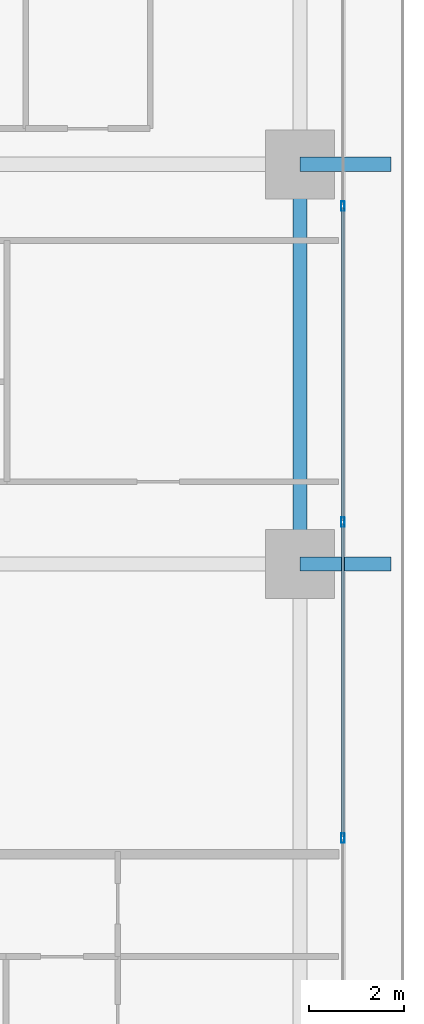
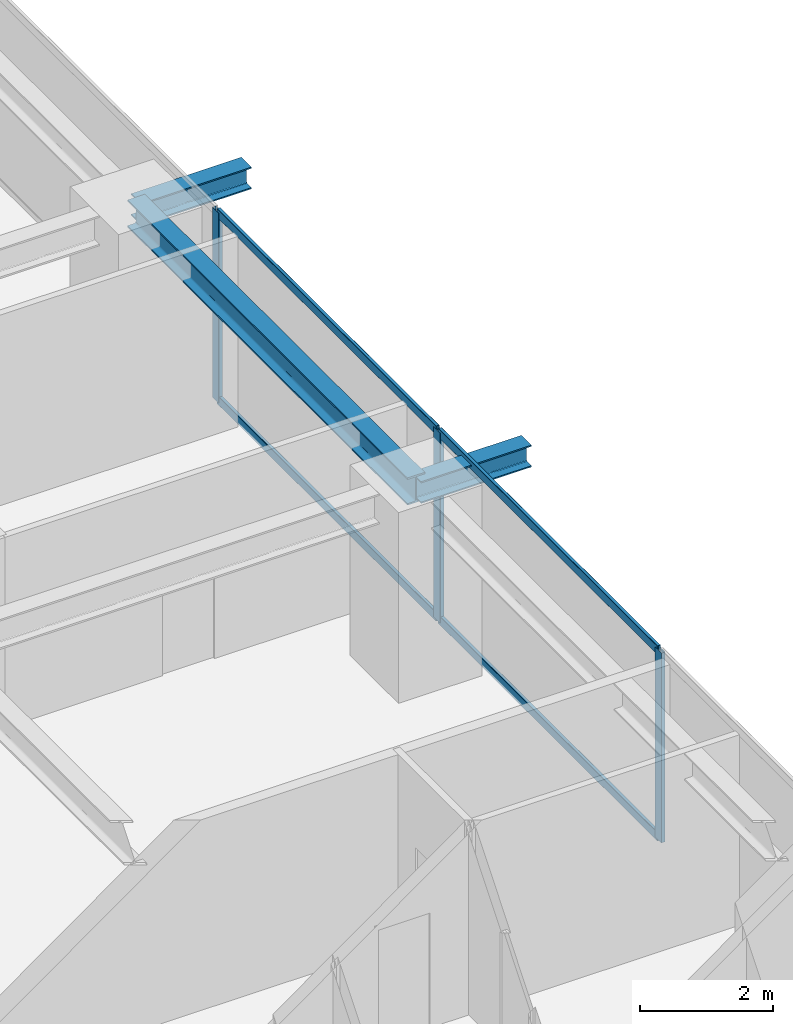
# One storey, part 14 of 36: 7 members, 3 beams, 1 element without a shape of its own.
"""IFC4 building model written with IfcOpenShell, lengths in metres."""

from ifc_helpers import new_model, si_unit, direction, frame, origin, origin_2d, place, context, subcontext, project, spatial, hollow_rectangle, i_section, extrude, source, transform, mapped, material, layer, layer_set, material_profile, profile_set, type_object, element, aggregate, save


model = new_model("IFC4")

# Units and contexts
model_context = context("Model", 3, precision=1e-05, world=origin(), true_north=direction((0.0, 1.0)))
body_context = subcontext(model_context, "Body", "Model", "MODEL_VIEW")
ifc_project = project(units=[si_unit("LENGTHUNIT", "METRE"), si_unit("AREAUNIT", "SQUARE_METRE"), si_unit("VOLUMEUNIT", "CUBIC_METRE"), si_unit("PLANEANGLEUNIT", "RADIAN"), si_unit("MASSUNIT", "GRAM", prefix="KILO")], contexts=[model_context])

# Site, building, storey
site_placement = place(None, origin())
site = spatial("IfcSite", under=ifc_project, at=site_placement, CompositionType="ELEMENT")
building_placement = place(site_placement, origin())
building = spatial("IfcBuilding", under=site, at=building_placement, Name="Serunith Strait Residences", CompositionType="ELEMENT")
storey_placement = place(building_placement, frame((0.0, 0.0, 86.699951171875)))
storey = spatial("IfcBuildingStorey", under=building, at=storey_placement, Name="L21", CompositionType="ELEMENT", Elevation=86.699951171875)

# Beams
ifc_material_1 = material(Name="Steel S355J2", Category="steel")
ifc_material_profile_1 = material_profile(ifc_material_1, i_section(OverallWidth=0.300048828125, OverallDepth=0.5, WebThickness=0.014404296875, FlangeThickness=0.028076171875, FilletRadius=0.027099609375, at=origin_2d()), Name="HEB 500")
ifc_profile_set_1 = profile_set([ifc_material_profile_1], Name="Steel S355J2")
beam_type_1 = type_object("IfcBeamType", Name="BM-HEB500", PredefinedType="BEAM", material=ifc_profile_set_1)
shared_shape_1 = source(origin(), body_context, "Body", "SweptSolid", [
    extrude(i_section(OverallWidth=0.300048828125, OverallDepth=0.5, WebThickness=0.014404296875, FlangeThickness=0.028076171875, FilletRadius=0.027099609375, at=origin_2d()), origin(), (0.0, 0.0, 1.0), 8.39990234375),
])
beam_placement = place(storey_placement, frame((57.89990234375, 21.0, 3.237060546875), z_axis=(0.0, 1.0, 0.0), x_axis=(-1.0, 0.0, 0.0)))
element("IfcBeam", 1, at=beam_placement, inside=storey, type_object=beam_type_1, Name="L21 Perimeter Ring Beam 06", PredefinedType="BEAM", context=body_context, shape_type="MappedRepresentation", body=[
    mapped(shared_shape_1, transform((0.0, 0.0, 0.0), scale=1.0)),
])
ifc_material_profile_2 = material_profile(ifc_material_1, i_section(OverallWidth=0.300048828125, OverallDepth=0.39990234375, WebThickness=0.013427734375, FlangeThickness=0.02392578125, FilletRadius=0.027099609375, at=origin_2d()), Name="HEB 400")
ifc_profile_set_2 = profile_set([ifc_material_profile_2], Name="Steel S355J2")
beam_type_2 = type_object("IfcBeamType", Name="BM-HEB400", PredefinedType="BEAM", material=ifc_profile_set_2)
shared_shape_2 = source(origin(), body_context, "Body", "SweptSolid", [
    extrude(i_section(OverallWidth=0.300048828125, OverallDepth=0.39990234375, WebThickness=0.013427734375, FlangeThickness=0.02392578125, FilletRadius=0.027099609375, at=origin_2d()), origin(), (0.0, 0.0, 1.0), 1.91015625),
])
for number, where, z_axis, x_axis, name in (
    (2, (57.89990234375, 21.0, 3.257080078125), (1.0, 0.0, 0.0), (0.0, 1.0, 0.0), "L22 Cantilevered Balcony Rib TC-E2"),
    (3, (57.89990234375, 29.39990234375, 3.257080078125), (1.0, 0.0, 0.0), (0.0, 1.0, 0.0), "L22 Cantilevered Balcony Rib TC-E3"),
):
    element("IfcBeam", number, at=place(storey_placement, frame(where, z_axis=z_axis, x_axis=x_axis)), inside=storey, type_object=beam_type_2, Name=name, PredefinedType="BEAM", context=body_context, shape_type="MappedRepresentation", body=[
        mapped(shared_shape_2, transform((0.0, 0.0, 0.0), scale=1.0)),
    ])

# Curtain wall, members
ifc_material_2 = material(Name="Pale-Champagne Anodised Aluminium", Category="aluminium")
ifc_layer = layer(ifc_material_2, 0.199951171875, Name="Pale-Champagne Anodised Aluminium")
ifc_layer_set = layer_set([ifc_layer], Name="Pale-Champagne Anodised Aluminium")
curtain_wall_type = type_object("IfcCurtainWallType", Name="CW-SYS1", PredefinedType="NOTDEFINED", material=ifc_layer_set)
curtain_wall_placement = place(storey_placement, origin())
curtain_wall = element("IfcCurtainWall", 4, at=curtain_wall_placement, inside=storey, type_object=curtain_wall_type, Name="L21 E Unitised Fritted Curtain Wall", PredefinedType="NOTDEFINED")
ifc_material_profile_3 = material_profile(ifc_material_2, hollow_rectangle(XDim=0.070068359375, YDim=0.199951171875, WallThickness=0.00390625, InnerFilletRadius=0.006103515625, OuterFilletRadius=0.010009765625, at=origin_2d()), Name="ALU 200x70x4")
ifc_profile_set_3 = profile_set([ifc_material_profile_3], Name="Pale-Champagne Anodised Aluminium")
member_type_1 = type_object("IfcMemberType", Name="CW-SYS1-MULL", PredefinedType="MULLION", material=ifc_profile_set_3)
shared_shape_3 = source(origin(), body_context, "Body", "SweptSolid", [
    extrude(hollow_rectangle(XDim=0.070068359375, YDim=0.199951171875, WallThickness=0.00390625, InnerFilletRadius=0.006103515625, OuterFilletRadius=0.010009765625, at=origin_2d()), origin(), (0.0, 0.0, 1.0), 3.47509765625),
])
member_1_placement = place(storey_placement, frame((58.800048828125, 15.239990234375, 0.0), z_axis=(0.0, 0.0, 1.0), x_axis=(-1.0, 0.0, 0.0)))
member_1 = element("IfcMember", 5, at=member_1_placement, type_object=member_type_1, Name="CW-1 mullion 2", PredefinedType="MULLION", context=body_context, shape_type="MappedRepresentation", body=[
    mapped(shared_shape_3, transform((0.0, 0.0, 0.0), scale=1.0)),
])
member_2_placement = place(storey_placement, frame((58.800048828125, 21.8798828125, 0.0), z_axis=(0.0, 0.0, 1.0), x_axis=(-1.0, 0.0, 0.0)))
member_2 = element("IfcMember", 6, at=member_2_placement, type_object=member_type_1, Name="CW-1 mullion 3", PredefinedType="MULLION", context=body_context, shape_type="MappedRepresentation", body=[
    mapped(shared_shape_3, transform((0.0, 0.0, 0.0), scale=1.0)),
])
member_3_placement = place(storey_placement, frame((58.800048828125, 28.52001953125, 0.0), z_axis=(0.0, 0.0, 1.0), x_axis=(-1.0, 0.0, 0.0)))
member_3 = element("IfcMember", 7, at=member_3_placement, type_object=member_type_1, Name="CW-1 mullion 4", PredefinedType="MULLION", context=body_context, shape_type="MappedRepresentation", body=[
    mapped(shared_shape_3, transform((0.0, 0.0, 0.0), scale=1.0)),
])
ifc_material_profile_4 = material_profile(ifc_material_2, hollow_rectangle(XDim=0.06005859375, YDim=0.159912109375, WallThickness=0.00341796875, InnerFilletRadius=0.00537109375, OuterFilletRadius=0.0087890625, at=origin_2d()), Name="ALU 160x60x3.5")
ifc_profile_set_4 = profile_set([ifc_material_profile_4], Name="Pale-Champagne Anodised Aluminium")
member_type_2 = type_object("IfcMemberType", Name="CW-SYS1-TRAN", PredefinedType="USERDEFINED", material=ifc_profile_set_4)
shared_shape_4 = source(origin(), body_context, "Body", "SweptSolid", [
    extrude(hollow_rectangle(XDim=0.06005859375, YDim=0.159912109375, WallThickness=0.00341796875, InnerFilletRadius=0.00537109375, OuterFilletRadius=0.0087890625, at=origin_2d()), origin(), (0.0, 0.0, 1.0), 6.570068359375),
])
member_4_placement = place(storey_placement, frame((58.800048828125, 15.27490234375, 0.030029296875), z_axis=(0.0, 1.0, 0.0), x_axis=(-1.0, 0.0, 0.0)))
member_4 = element("IfcMember", 8, at=member_4_placement, type_object=member_type_2, Name="CW-1 transom 2.1", ObjectType="TRANSOM", PredefinedType="USERDEFINED", context=body_context, shape_type="MappedRepresentation", body=[
    mapped(shared_shape_4, transform((0.0, 0.0, 0.0), scale=1.0)),
])
member_5_placement = place(storey_placement, frame((58.800048828125, 15.27490234375, 3.445068359375), z_axis=(0.0, 1.0, 0.0), x_axis=(-1.0, 0.0, 0.0)))
member_5 = element("IfcMember", 9, at=member_5_placement, type_object=member_type_2, Name="CW-1 transom 2.2", ObjectType="TRANSOM", PredefinedType="USERDEFINED", context=body_context, shape_type="MappedRepresentation", body=[
    mapped(shared_shape_4, transform((0.0, 0.0, 0.0), scale=1.0)),
])
member_6_placement = place(storey_placement, frame((58.800048828125, 21.9150390625, 0.030029296875), z_axis=(0.0, 1.0, 0.0), x_axis=(-1.0, 0.0, 0.0)))
member_6 = element("IfcMember", 10, at=member_6_placement, type_object=member_type_2, Name="CW-1 transom 3.1", ObjectType="TRANSOM", PredefinedType="USERDEFINED", context=body_context, shape_type="MappedRepresentation", body=[
    mapped(shared_shape_4, transform((0.0, 0.0, 0.0), scale=1.0)),
])
member_7_placement = place(storey_placement, frame((58.800048828125, 21.9150390625, 3.445068359375), z_axis=(0.0, 1.0, 0.0), x_axis=(-1.0, 0.0, 0.0)))
member_7 = element("IfcMember", 11, at=member_7_placement, type_object=member_type_2, Name="CW-1 transom 3.2", ObjectType="TRANSOM", PredefinedType="USERDEFINED", context=body_context, shape_type="MappedRepresentation", body=[
    mapped(shared_shape_4, transform((0.0, 0.0, 0.0), scale=1.0)),
])
aggregate(curtain_wall, [member_1, member_2, member_3, member_4, member_5, member_6, member_7])

save(model, "model.ifc")
